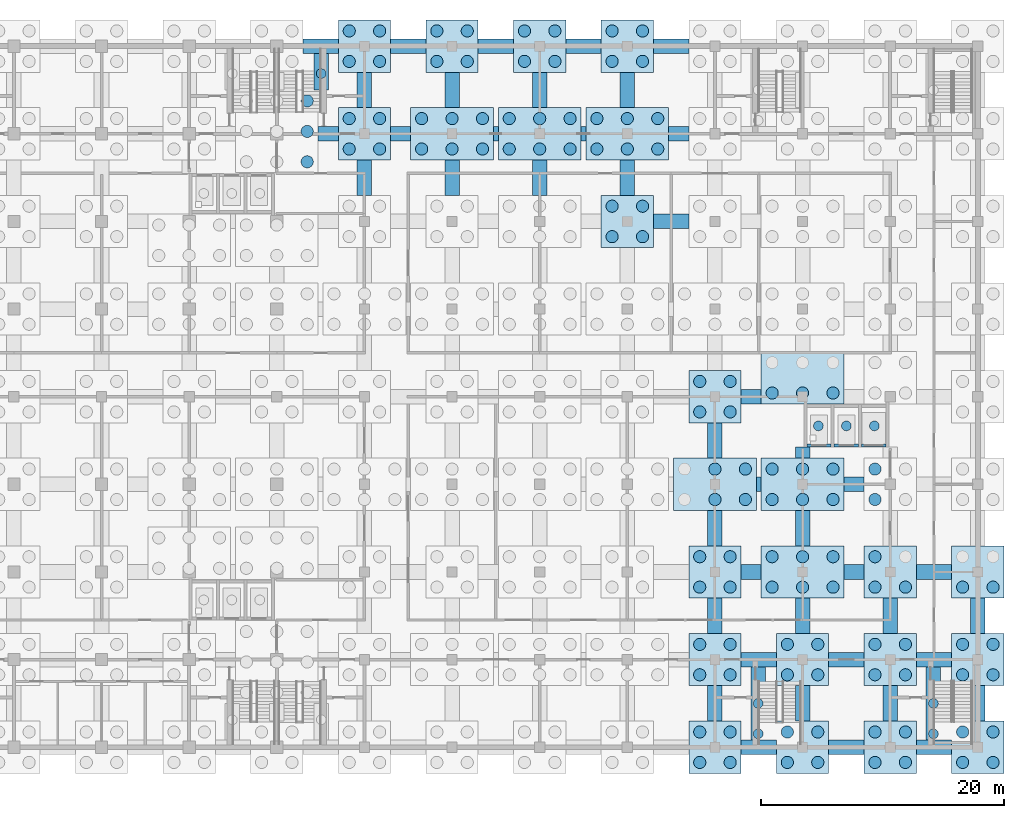
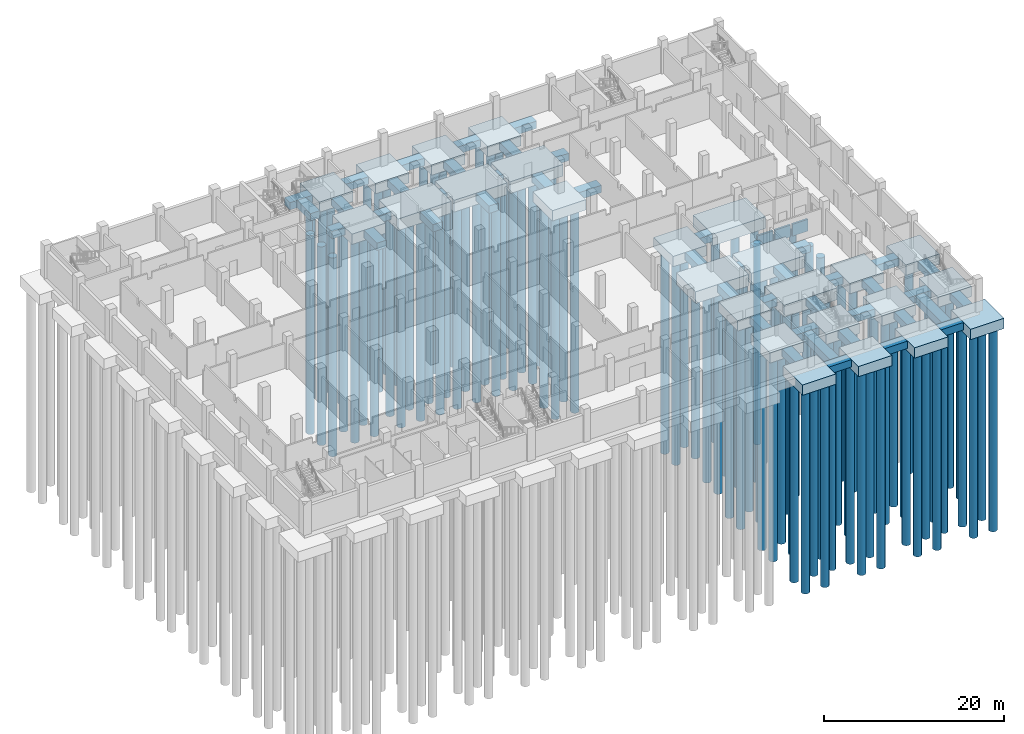
# One storey, part 4 of 19: 119 piles, 74 footings.
"""IFC4 building model written with IfcOpenShell, lengths in metres."""

from ifc_helpers import new_model, si_unit, direction, frame, origin, origin_2d, place, context, subcontext, project, spatial, rectangle, circle, extrude, material, material_profile, profile_set, type_object, element, save


model = new_model("IFC4")

# Units and contexts
model_context = context("Model", 3, precision=1e-05, world=origin(), true_north=direction((0.0, 1.0)))
body_context = subcontext(model_context, "Body", "Model", "MODEL_VIEW")
ifc_project = project(units=[si_unit("LENGTHUNIT", "METRE"), si_unit("AREAUNIT", "SQUARE_METRE"), si_unit("VOLUMEUNIT", "CUBIC_METRE"), si_unit("PLANEANGLEUNIT", "RADIAN"), si_unit("MASSUNIT", "GRAM", prefix="KILO")], contexts=[model_context])

# Site, building, storey
site_placement = place(None, origin())
site = spatial("IfcSite", under=ifc_project, at=site_placement, CompositionType="ELEMENT")
building_placement = place(site_placement, origin())
building = spatial("IfcBuilding", under=site, at=building_placement, Name="Silangan Lancet Faculty of Sciences", CompositionType="ELEMENT")
storey_placement = place(building_placement, frame((0.0, 0.0, -4.5)))
storey = spatial("IfcBuildingStorey", under=building, at=storey_placement, Name="B1", CompositionType="ELEMENT", Elevation=-4.5)

# Footings
ifc_material_1 = material(Name="Concrete C40/50", Category="concrete")
footing_type_1 = type_object("IfcFootingType", Name="LIFT PIT WALL RC 250", PredefinedType="STRIP_FOOTING", material=ifc_material_1)
for number, where, z_axis, x_axis, name in (
    (1, (73.35009765625, 24.77490234375, -1.60009765625), (0.0, 0.0, 1.0), (1.0, 0.0, 0.0), "PITWALL-EB-L1"),
    (2, (75.60009765625, 24.77490234375, -1.60009765625), (0.0, 0.0, 1.0), (1.0, 0.0, 0.0), "PITWALL-EB-L2"),
    (3, (77.85009765625, 24.77490234375, -1.60009765625), (0.0, 0.0, 1.0), (1.0, 0.0, 0.0), "PITWALL-EB-L3"),
):
    element("IfcFooting", number, at=place(storey_placement, frame(where, z_axis=z_axis, x_axis=x_axis)), inside=storey, type_object=footing_type_1, Name=name, PredefinedType="STRIP_FOOTING", context=body_context, shape_type="SweptSolid", body=[
        extrude(rectangle(XDim=2.0, YDim=0.25, at=origin_2d()), origin(), (0.0, 0.0, 1.0), 1.60009765625),
    ])

# Piles
ifc_material_2 = material(Name="Concrete C30/37", Category="concrete")
ifc_material_profile_1 = material_profile(ifc_material_2, circle(Radius=0.5, at=origin_2d()), Name="BORED PILE D1000")
ifc_profile_set_1 = profile_set([ifc_material_profile_1], Name="Concrete C30/37")
pile_type_1 = type_object("IfcPileType", Name="PILE BORED D1000", PredefinedType="BORED", material=ifc_profile_set_1)
for number, where, z_axis, x_axis, name in (
    (4, (31.300048828125, 48.10009765625, -2.5), (0.0, 0.0, -1.0), (1.0, 0.0, 0.0), "PILE-5H-3"),
    (5, (31.300048828125, 50.60009765625, -2.5), (0.0, 0.0, -1.0), (1.0, 0.0, 0.0), "PILE-5H-6"),
    (6, (31.300048828125, 53.10009765625, -2.5), (0.0, 0.0, -1.0), (1.0, 0.0, 0.0), "PILE-5H-9"),
):
    element("IfcPile", number, at=place(storey_placement, frame(where, z_axis=z_axis, x_axis=x_axis)), inside=storey, type_object=pile_type_1, Name=name, PredefinedType="BORED", context=body_context, shape_type="SweptSolid", body=[
        extrude(circle(Radius=0.5, at=origin_2d()), origin(), (0.0, 0.0, 1.0), 27.0),
    ])
for number, where, z_axis, x_axis, name in (
    (7, (34.75, 49.14990234375, -2.0), (0.0, 0.0, -1.0), (1.0, 0.0, 0.0), "PILE-6H-1"),
    (8, (37.25, 49.14990234375, -2.0), (0.0, 0.0, -1.0), (1.0, 0.0, 0.0), "PILE-6H-2"),
    (9, (34.75, 51.64990234375, -2.0), (0.0, 0.0, -1.0), (1.0, 0.0, 0.0), "PILE-6H-3"),
    (10, (37.25, 51.64990234375, -2.0), (0.0, 0.0, -1.0), (1.0, 0.0, 0.0), "PILE-6H-4"),
    (11, (34.75, 56.35009765625, -2.0), (0.0, 0.0, -1.0), (1.0, 0.0, 0.0), "PILE-6I-1"),
    (12, (37.25, 56.35009765625, -2.0), (0.0, 0.0, -1.0), (1.0, 0.0, 0.0), "PILE-6I-2"),
    (13, (34.75, 58.85009765625, -2.0), (0.0, 0.0, -1.0), (1.0, 0.0, 0.0), "PILE-6I-3"),
    (14, (37.25, 58.85009765625, -2.0), (0.0, 0.0, -1.0), (1.0, 0.0, 0.0), "PILE-6I-4"),
):
    element("IfcPile", number, at=place(storey_placement, frame(where, z_axis=z_axis, x_axis=x_axis)), inside=storey, type_object=pile_type_1, Name=name, PredefinedType="BORED", context=body_context, shape_type="SweptSolid", body=[
        extrude(circle(Radius=0.5, at=origin_2d()), origin(), (0.0, 0.0, 1.0), 27.5),
    ])
for number, where, z_axis, x_axis, name in (
    (15, (40.699951171875, 49.14990234375, -2.199951171875), (0.0, 0.0, -1.0), (1.0, 0.0, 0.0), "PILE-7H-1"),
    (16, (43.199951171875, 49.14990234375, -2.199951171875), (0.0, 0.0, -1.0), (1.0, 0.0, 0.0), "PILE-7H-2"),
    (17, (45.699951171875, 49.14990234375, -2.199951171875), (0.0, 0.0, -1.0), (1.0, 0.0, 0.0), "PILE-7H-3"),
    (18, (40.699951171875, 51.64990234375, -2.199951171875), (0.0, 0.0, -1.0), (1.0, 0.0, 0.0), "PILE-7H-4"),
    (19, (43.199951171875, 51.64990234375, -2.199951171875), (0.0, 0.0, -1.0), (1.0, 0.0, 0.0), "PILE-7H-5"),
    (20, (45.699951171875, 51.64990234375, -2.199951171875), (0.0, 0.0, -1.0), (1.0, 0.0, 0.0), "PILE-7H-6"),
):
    element("IfcPile", number, at=place(storey_placement, frame(where, z_axis=z_axis, x_axis=x_axis)), inside=storey, type_object=pile_type_1, Name=name, PredefinedType="BORED", context=body_context, shape_type="SweptSolid", body=[
        extrude(circle(Radius=0.5, at=origin_2d()), origin(), (0.0, 0.0, 1.0), 27.300048828125),
    ])
for number, where, z_axis, x_axis, name in (
    (21, (41.949951171875, 56.35009765625, -2.0), (0.0, 0.0, -1.0), (1.0, 0.0, 0.0), "PILE-7I-1"),
    (22, (44.449951171875, 56.35009765625, -2.0), (0.0, 0.0, -1.0), (1.0, 0.0, 0.0), "PILE-7I-2"),
    (23, (41.949951171875, 58.85009765625, -2.0), (0.0, 0.0, -1.0), (1.0, 0.0, 0.0), "PILE-7I-3"),
    (24, (44.449951171875, 58.85009765625, -2.0), (0.0, 0.0, -1.0), (1.0, 0.0, 0.0), "PILE-7I-4"),
):
    element("IfcPile", number, at=place(storey_placement, frame(where, z_axis=z_axis, x_axis=x_axis)), inside=storey, type_object=pile_type_1, Name=name, PredefinedType="BORED", context=body_context, shape_type="SweptSolid", body=[
        extrude(circle(Radius=0.5, at=origin_2d()), origin(), (0.0, 0.0, 1.0), 27.5),
    ])
for number, where, z_axis, x_axis, name in (
    (25, (47.89990234375, 49.14990234375, -2.199951171875), (0.0, 0.0, -1.0), (1.0, 0.0, 0.0), "PILE-8H-1"),
    (26, (50.39990234375, 49.14990234375, -2.199951171875), (0.0, 0.0, -1.0), (1.0, 0.0, 0.0), "PILE-8H-2"),
    (27, (52.89990234375, 49.14990234375, -2.199951171875), (0.0, 0.0, -1.0), (1.0, 0.0, 0.0), "PILE-8H-3"),
    (28, (47.89990234375, 51.64990234375, -2.199951171875), (0.0, 0.0, -1.0), (1.0, 0.0, 0.0), "PILE-8H-4"),
    (29, (50.39990234375, 51.64990234375, -2.199951171875), (0.0, 0.0, -1.0), (1.0, 0.0, 0.0), "PILE-8H-5"),
    (30, (52.89990234375, 51.64990234375, -2.199951171875), (0.0, 0.0, -1.0), (1.0, 0.0, 0.0), "PILE-8H-6"),
):
    element("IfcPile", number, at=place(storey_placement, frame(where, z_axis=z_axis, x_axis=x_axis)), inside=storey, type_object=pile_type_1, Name=name, PredefinedType="BORED", context=body_context, shape_type="SweptSolid", body=[
        extrude(circle(Radius=0.5, at=origin_2d()), origin(), (0.0, 0.0, 1.0), 27.300048828125),
    ])
for number, where, z_axis, x_axis, name in (
    (31, (49.14990234375, 56.35009765625, -2.0), (0.0, 0.0, -1.0), (1.0, 0.0, 0.0), "PILE-8I-1"),
    (32, (51.64990234375, 56.35009765625, -2.0), (0.0, 0.0, -1.0), (1.0, 0.0, 0.0), "PILE-8I-2"),
    (33, (49.14990234375, 58.85009765625, -2.0), (0.0, 0.0, -1.0), (1.0, 0.0, 0.0), "PILE-8I-3"),
    (34, (51.64990234375, 58.85009765625, -2.0), (0.0, 0.0, -1.0), (1.0, 0.0, 0.0), "PILE-8I-4"),
    (35, (56.35009765625, 41.949951171875, -2.0), (0.0, 0.0, -1.0), (1.0, 0.0, 0.0), "PILE-9G-1"),
    (36, (58.85009765625, 41.949951171875, -2.0), (0.0, 0.0, -1.0), (1.0, 0.0, 0.0), "PILE-9G-2"),
    (37, (56.35009765625, 44.449951171875, -2.0), (0.0, 0.0, -1.0), (1.0, 0.0, 0.0), "PILE-9G-3"),
    (38, (58.85009765625, 44.449951171875, -2.0), (0.0, 0.0, -1.0), (1.0, 0.0, 0.0), "PILE-9G-4"),
):
    element("IfcPile", number, at=place(storey_placement, frame(where, z_axis=z_axis, x_axis=x_axis)), inside=storey, type_object=pile_type_1, Name=name, PredefinedType="BORED", context=body_context, shape_type="SweptSolid", body=[
        extrude(circle(Radius=0.5, at=origin_2d()), origin(), (0.0, 0.0, 1.0), 27.5),
    ])
for number, where, z_axis, x_axis, name in (
    (39, (55.10009765625, 49.14990234375, -2.199951171875), (0.0, 0.0, -1.0), (1.0, 0.0, 0.0), "PILE-9H-1"),
    (40, (57.60009765625, 49.14990234375, -2.199951171875), (0.0, 0.0, -1.0), (1.0, 0.0, 0.0), "PILE-9H-2"),
    (41, (60.10009765625, 49.14990234375, -2.199951171875), (0.0, 0.0, -1.0), (1.0, 0.0, 0.0), "PILE-9H-3"),
    (42, (55.10009765625, 51.64990234375, -2.199951171875), (0.0, 0.0, -1.0), (1.0, 0.0, 0.0), "PILE-9H-4"),
    (43, (57.60009765625, 51.64990234375, -2.199951171875), (0.0, 0.0, -1.0), (1.0, 0.0, 0.0), "PILE-9H-5"),
    (44, (60.10009765625, 51.64990234375, -2.199951171875), (0.0, 0.0, -1.0), (1.0, 0.0, 0.0), "PILE-9H-6"),
):
    element("IfcPile", number, at=place(storey_placement, frame(where, z_axis=z_axis, x_axis=x_axis)), inside=storey, type_object=pile_type_1, Name=name, PredefinedType="BORED", context=body_context, shape_type="SweptSolid", body=[
        extrude(circle(Radius=0.5, at=origin_2d()), origin(), (0.0, 0.0, 1.0), 27.300048828125),
    ])
for number, where, z_axis, x_axis, name in (
    (45, (56.35009765625, 56.35009765625, -2.0), (0.0, 0.0, -1.0), (1.0, 0.0, 0.0), "PILE-9I-1"),
    (46, (58.85009765625, 56.35009765625, -2.0), (0.0, 0.0, -1.0), (1.0, 0.0, 0.0), "PILE-9I-2"),
    (47, (56.35009765625, 58.85009765625, -2.0), (0.0, 0.0, -1.0), (1.0, 0.0, 0.0), "PILE-9I-3"),
    (48, (58.85009765625, 58.85009765625, -2.0), (0.0, 0.0, -1.0), (1.0, 0.0, 0.0), "PILE-9I-4"),
    (49, (63.550048828125, -1.25, -2.0), (0.0, 0.0, -1.0), (1.0, 0.0, 0.0), "PILE-10A-1"),
    (50, (66.050048828125, -1.25, -2.0), (0.0, 0.0, -1.0), (1.0, 0.0, 0.0), "PILE-10A-2"),
    (51, (63.550048828125, 1.25, -2.0), (0.0, 0.0, -1.0), (1.0, 0.0, 0.0), "PILE-10A-3"),
    (52, (66.050048828125, 1.25, -2.0), (0.0, 0.0, -1.0), (1.0, 0.0, 0.0), "PILE-10A-4"),
    (53, (63.550048828125, 5.949951171875, -2.0), (0.0, 0.0, -1.0), (1.0, 0.0, 0.0), "PILE-10B-1"),
    (54, (66.050048828125, 5.949951171875, -2.0), (0.0, 0.0, -1.0), (1.0, 0.0, 0.0), "PILE-10B-2"),
    (55, (63.550048828125, 8.449951171875, -2.0), (0.0, 0.0, -1.0), (1.0, 0.0, 0.0), "PILE-10B-3"),
    (56, (66.050048828125, 8.449951171875, -2.0), (0.0, 0.0, -1.0), (1.0, 0.0, 0.0), "PILE-10B-4"),
    (57, (63.550048828125, 13.14990234375, -2.0), (0.0, 0.0, -1.0), (1.0, 0.0, 0.0), "PILE-10C-1"),
    (58, (66.050048828125, 13.14990234375, -2.0), (0.0, 0.0, -1.0), (1.0, 0.0, 0.0), "PILE-10C-2"),
    (59, (63.550048828125, 15.64990234375, -2.0), (0.0, 0.0, -1.0), (1.0, 0.0, 0.0), "PILE-10C-3"),
    (60, (66.050048828125, 15.64990234375, -2.0), (0.0, 0.0, -1.0), (1.0, 0.0, 0.0), "PILE-10C-4"),
):
    element("IfcPile", number, at=place(storey_placement, frame(where, z_axis=z_axis, x_axis=x_axis)), inside=storey, type_object=pile_type_1, Name=name, PredefinedType="BORED", context=body_context, shape_type="SweptSolid", body=[
        extrude(circle(Radius=0.5, at=origin_2d()), origin(), (0.0, 0.0, 1.0), 27.5),
    ])
for number, where, z_axis, x_axis, name in (
    (61, (64.800048828125, 20.35009765625, -2.199951171875), (0.0, 0.0, -1.0), (1.0, 0.0, 0.0), "PILE-10D-2"),
    (62, (67.300048828125, 20.35009765625, -2.199951171875), (0.0, 0.0, -1.0), (1.0, 0.0, 0.0), "PILE-10D-3"),
    (63, (64.800048828125, 22.85009765625, -2.199951171875), (0.0, 0.0, -1.0), (1.0, 0.0, 0.0), "PILE-10D-5"),
    (64, (67.300048828125, 22.85009765625, -2.199951171875), (0.0, 0.0, -1.0), (1.0, 0.0, 0.0), "PILE-10D-6"),
):
    element("IfcPile", number, at=place(storey_placement, frame(where, z_axis=z_axis, x_axis=x_axis)), inside=storey, type_object=pile_type_1, Name=name, PredefinedType="BORED", context=body_context, shape_type="SweptSolid", body=[
        extrude(circle(Radius=0.5, at=origin_2d()), origin(), (0.0, 0.0, 1.0), 27.300048828125),
    ])
for number, where, z_axis, x_axis, name in (
    (65, (63.550048828125, 27.550048828125, -2.0), (0.0, 0.0, -1.0), (1.0, 0.0, 0.0), "PILE-10E-1"),
    (66, (66.050048828125, 27.550048828125, -2.0), (0.0, 0.0, -1.0), (1.0, 0.0, 0.0), "PILE-10E-2"),
    (67, (63.550048828125, 30.050048828125, -2.0), (0.0, 0.0, -1.0), (1.0, 0.0, 0.0), "PILE-10E-3"),
    (68, (66.050048828125, 30.050048828125, -2.0), (0.0, 0.0, -1.0), (1.0, 0.0, 0.0), "PILE-10E-4"),
    (69, (70.75, -1.25, -2.0), (0.0, 0.0, -1.0), (1.0, 0.0, 0.0), "PILE-11A-1"),
    (70, (73.25, -1.25, -2.0), (0.0, 0.0, -1.0), (1.0, 0.0, 0.0), "PILE-11A-2"),
    (71, (70.75, 1.25, -2.0), (0.0, 0.0, -1.0), (1.0, 0.0, 0.0), "PILE-11A-3"),
    (72, (73.25, 1.25, -2.0), (0.0, 0.0, -1.0), (1.0, 0.0, 0.0), "PILE-11A-4"),
    (73, (70.75, 5.949951171875, -2.0), (0.0, 0.0, -1.0), (1.0, 0.0, 0.0), "PILE-11B-1"),
    (74, (73.25, 5.949951171875, -2.0), (0.0, 0.0, -1.0), (1.0, 0.0, 0.0), "PILE-11B-2"),
    (75, (70.75, 8.449951171875, -2.0), (0.0, 0.0, -1.0), (1.0, 0.0, 0.0), "PILE-11B-3"),
    (76, (73.25, 8.449951171875, -2.0), (0.0, 0.0, -1.0), (1.0, 0.0, 0.0), "PILE-11B-4"),
):
    element("IfcPile", number, at=place(storey_placement, frame(where, z_axis=z_axis, x_axis=x_axis)), inside=storey, type_object=pile_type_1, Name=name, PredefinedType="BORED", context=body_context, shape_type="SweptSolid", body=[
        extrude(circle(Radius=0.5, at=origin_2d()), origin(), (0.0, 0.0, 1.0), 27.5),
    ])
for number, where, z_axis, x_axis, name in (
    (77, (69.5, 13.14990234375, -2.199951171875), (0.0, 0.0, -1.0), (1.0, 0.0, 0.0), "PILE-11C-1"),
    (78, (72.0, 13.14990234375, -2.199951171875), (0.0, 0.0, -1.0), (1.0, 0.0, 0.0), "PILE-11C-2"),
    (79, (74.5, 13.14990234375, -2.199951171875), (0.0, 0.0, -1.0), (1.0, 0.0, 0.0), "PILE-11C-3"),
    (80, (69.5, 15.64990234375, -2.199951171875), (0.0, 0.0, -1.0), (1.0, 0.0, 0.0), "PILE-11C-4"),
    (81, (72.0, 15.64990234375, -2.199951171875), (0.0, 0.0, -1.0), (1.0, 0.0, 0.0), "PILE-11C-5"),
    (82, (74.5, 15.64990234375, -2.199951171875), (0.0, 0.0, -1.0), (1.0, 0.0, 0.0), "PILE-11C-6"),
    (83, (69.5, 20.35009765625, -2.199951171875), (0.0, 0.0, -1.0), (1.0, 0.0, 0.0), "PILE-11D-1"),
    (84, (72.0, 20.35009765625, -2.199951171875), (0.0, 0.0, -1.0), (1.0, 0.0, 0.0), "PILE-11D-2"),
    (85, (74.5, 20.35009765625, -2.199951171875), (0.0, 0.0, -1.0), (1.0, 0.0, 0.0), "PILE-11D-3"),
    (86, (69.5, 22.85009765625, -2.199951171875), (0.0, 0.0, -1.0), (1.0, 0.0, 0.0), "PILE-11D-4"),
    (87, (72.0, 22.85009765625, -2.199951171875), (0.0, 0.0, -1.0), (1.0, 0.0, 0.0), "PILE-11D-5"),
    (88, (74.5, 22.85009765625, -2.199951171875), (0.0, 0.0, -1.0), (1.0, 0.0, 0.0), "PILE-11D-6"),
    (89, (69.5, 29.10009765625, -2.199951171875), (0.0, 0.0, -1.0), (1.0, 0.0, 0.0), "PILE-11E-1"),
    (90, (72.0, 29.10009765625, -2.199951171875), (0.0, 0.0, -1.0), (1.0, 0.0, 0.0), "PILE-11E-2"),
    (91, (74.5, 29.10009765625, -2.199951171875), (0.0, 0.0, -1.0), (1.0, 0.0, 0.0), "PILE-11E-3"),
):
    element("IfcPile", number, at=place(storey_placement, frame(where, z_axis=z_axis, x_axis=x_axis)), inside=storey, type_object=pile_type_1, Name=name, PredefinedType="BORED", context=body_context, shape_type="SweptSolid", body=[
        extrude(circle(Radius=0.5, at=origin_2d()), origin(), (0.0, 0.0, 1.0), 27.300048828125),
    ])
for number, where, z_axis, x_axis, name in (
    (92, (77.949951171875, -1.25, -2.0), (0.0, 0.0, -1.0), (1.0, 0.0, 0.0), "PILE-12A-1"),
    (93, (80.449951171875, -1.25, -2.0), (0.0, 0.0, -1.0), (1.0, 0.0, 0.0), "PILE-12A-2"),
    (94, (77.949951171875, 1.25, -2.0), (0.0, 0.0, -1.0), (1.0, 0.0, 0.0), "PILE-12A-3"),
    (95, (80.449951171875, 1.25, -2.0), (0.0, 0.0, -1.0), (1.0, 0.0, 0.0), "PILE-12A-4"),
    (96, (77.949951171875, 5.949951171875, -2.0), (0.0, 0.0, -1.0), (1.0, 0.0, 0.0), "PILE-12B-1"),
    (97, (80.449951171875, 5.949951171875, -2.0), (0.0, 0.0, -1.0), (1.0, 0.0, 0.0), "PILE-12B-2"),
    (98, (77.949951171875, 8.449951171875, -2.0), (0.0, 0.0, -1.0), (1.0, 0.0, 0.0), "PILE-12B-3"),
    (99, (80.449951171875, 8.449951171875, -2.0), (0.0, 0.0, -1.0), (1.0, 0.0, 0.0), "PILE-12B-4"),
    (100, (77.949951171875, 13.14990234375, -2.0), (0.0, 0.0, -1.0), (1.0, 0.0, 0.0), "PILE-12C-1"),
    (101, (80.449951171875, 13.14990234375, -2.0), (0.0, 0.0, -1.0), (1.0, 0.0, 0.0), "PILE-12C-2"),
    (102, (77.949951171875, 15.64990234375, -2.0), (0.0, 0.0, -1.0), (1.0, 0.0, 0.0), "PILE-12C-3"),
    (103, (77.949951171875, 20.35009765625, -2.0), (0.0, 0.0, -1.0), (1.0, 0.0, 0.0), "PILE-12D-1"),
    (104, (77.949951171875, 22.85009765625, -2.0), (0.0, 0.0, -1.0), (1.0, 0.0, 0.0), "PILE-12D-3"),
    (105, (85.14990234375, -1.25, -2.0), (0.0, 0.0, -1.0), (1.0, 0.0, 0.0), "PILE-13A-1"),
    (106, (87.64990234375, -1.25, -2.0), (0.0, 0.0, -1.0), (1.0, 0.0, 0.0), "PILE-13A-2"),
    (107, (85.14990234375, 1.25, -2.0), (0.0, 0.0, -1.0), (1.0, 0.0, 0.0), "PILE-13A-3"),
    (108, (87.64990234375, 1.25, -2.0), (0.0, 0.0, -1.0), (1.0, 0.0, 0.0), "PILE-13A-4"),
    (109, (85.14990234375, 5.949951171875, -2.0), (0.0, 0.0, -1.0), (1.0, 0.0, 0.0), "PILE-13B-1"),
    (110, (87.64990234375, 5.949951171875, -2.0), (0.0, 0.0, -1.0), (1.0, 0.0, 0.0), "PILE-13B-2"),
    (111, (85.14990234375, 8.449951171875, -2.0), (0.0, 0.0, -1.0), (1.0, 0.0, 0.0), "PILE-13B-3"),
    (112, (87.64990234375, 8.449951171875, -2.0), (0.0, 0.0, -1.0), (1.0, 0.0, 0.0), "PILE-13B-4"),
    (113, (85.14990234375, 13.14990234375, -2.0), (0.0, 0.0, -1.0), (1.0, 0.0, 0.0), "PILE-13C-1"),
    (114, (87.64990234375, 13.14990234375, -2.0), (0.0, 0.0, -1.0), (1.0, 0.0, 0.0), "PILE-13C-2"),
):
    element("IfcPile", number, at=place(storey_placement, frame(where, z_axis=z_axis, x_axis=x_axis)), inside=storey, type_object=pile_type_1, Name=name, PredefinedType="BORED", context=body_context, shape_type="SweptSolid", body=[
        extrude(circle(Radius=0.5, at=origin_2d()), origin(), (0.0, 0.0, 1.0), 27.5),
    ])
ifc_material_3 = material(Name="Concrete C30/37", Category="concrete")
ifc_material_profile_2 = material_profile(ifc_material_3, circle(Radius=0.39990234375, at=origin_2d()), Name="BORED PILE D800")
ifc_profile_set_2 = profile_set([ifc_material_profile_2], Name="Concrete C30/37")
pile_type_2 = type_object("IfcPileType", Name="PILE BORED D800", PredefinedType="BORED", material=ifc_profile_set_2)
for number, where, z_axis, x_axis, name in (
    (115, (68.35009765625, 3.60009765625, -1.60009765625), (0.0, 0.0, -1.0), (1.0, 0.0, 0.0), "PILE-FB-WSAB-B-1"),
    (116, (68.35009765625, 1.10009765625, -1.60009765625), (0.0, 0.0, -1.0), (1.0, 0.0, 0.0), "PILE-FB-WSAB-B-2"),
    (117, (32.449951171875, 55.35009765625, -1.60009765625), (0.0, 0.0, -1.0), (1.0, 0.0, 0.0), "PILE-FB-WNAB-A-1"),
    (118, (82.75, 3.60009765625, -1.60009765625), (0.0, 0.0, -1.0), (1.0, 0.0, 0.0), "PILE-FB-WEB-A-1"),
    (119, (82.75, 1.10009765625, -1.60009765625), (0.0, 0.0, -1.0), (1.0, 0.0, 0.0), "PILE-FB-WEB-A-2"),
):
    element("IfcPile", number, at=place(storey_placement, frame(where, z_axis=z_axis, x_axis=x_axis)), inside=storey, type_object=pile_type_2, Name=name, PredefinedType="BORED", context=body_context, shape_type="SweptSolid", body=[
        extrude(circle(Radius=0.39990234375, at=origin_2d()), origin(), (0.0, 0.0, 1.0), 27.89990234375),
    ])
for number, where, z_axis, x_axis, name in (
    (120, (73.300048828125, 26.39990234375, -2.199951171875), (0.0, 0.0, -1.0), (1.0, 0.0, 0.0), "PILE-PIT-EB-1"),
    (121, (75.60009765625, 26.39990234375, -2.199951171875), (0.0, 0.0, -1.0), (1.0, 0.0, 0.0), "PILE-PIT-EB-2"),
    (122, (77.89990234375, 26.39990234375, -2.199951171875), (0.0, 0.0, -1.0), (1.0, 0.0, 0.0), "PILE-PIT-EB-3"),
):
    element("IfcPile", number, at=place(storey_placement, frame(where, z_axis=z_axis, x_axis=x_axis)), inside=storey, type_object=pile_type_2, Name=name, PredefinedType="BORED", context=body_context, shape_type="SweptSolid", body=[
        extrude(circle(Radius=0.39990234375, at=origin_2d()), origin(), (0.0, 0.0, 1.0), 27.300048828125),
    ])

# Footings
ifc_material_4 = material(Name="Concrete C30/37", Category="concrete")
footing_type_2 = type_object("IfcFootingType", Name="PILE CAP 4 PILES 4300x4300x1400", PredefinedType="PILE_CAP", material=ifc_material_4)
for number, where, z_axis, x_axis, name in (
    (123, (36.0, 50.39990234375, -2.0), (0.0, 0.0, 1.0), (1.0, 0.0, 0.0), "CAP-6H"),
    (124, (36.0, 57.60009765625, -2.0), (0.0, 0.0, 1.0), (1.0, 0.0, 0.0), "CAP-6I"),
    (125, (43.199951171875, 57.60009765625, -2.0), (0.0, 0.0, 1.0), (1.0, 0.0, 0.0), "CAP-7I"),
    (126, (50.39990234375, 57.60009765625, -2.0), (0.0, 0.0, 1.0), (1.0, 0.0, 0.0), "CAP-8I"),
    (127, (57.60009765625, 43.199951171875, -2.0), (0.0, 0.0, 1.0), (1.0, 0.0, 0.0), "CAP-9G"),
    (128, (57.60009765625, 57.60009765625, -2.0), (0.0, 0.0, 1.0), (1.0, 0.0, 0.0), "CAP-9I"),
    (129, (64.800048828125, 0.0, -2.0), (0.0, 0.0, 1.0), (1.0, 0.0, 0.0), "CAP-10A"),
    (130, (64.800048828125, 7.199951171875, -2.0), (0.0, 0.0, 1.0), (1.0, 0.0, 0.0), "CAP-10B"),
    (131, (64.800048828125, 14.39990234375, -2.0), (0.0, 0.0, 1.0), (1.0, 0.0, 0.0), "CAP-10C"),
    (132, (64.800048828125, 28.800048828125, -2.0), (0.0, 0.0, 1.0), (1.0, 0.0, 0.0), "CAP-10E"),
    (133, (72.0, 0.0, -2.0), (0.0, 0.0, 1.0), (1.0, 0.0, 0.0), "CAP-11A"),
    (134, (72.0, 7.199951171875, -2.0), (0.0, 0.0, 1.0), (1.0, 0.0, 0.0), "CAP-11B"),
    (135, (79.199951171875, 0.0, -2.0), (0.0, 0.0, 1.0), (1.0, 0.0, 0.0), "CAP-12A"),
    (136, (79.199951171875, 7.199951171875, -2.0), (0.0, 0.0, 1.0), (1.0, 0.0, 0.0), "CAP-12B"),
    (137, (79.199951171875, 14.39990234375, -2.0), (0.0, 0.0, 1.0), (1.0, 0.0, 0.0), "CAP-12C"),
    (138, (86.39990234375, 0.0, -2.0), (0.0, 0.0, 1.0), (1.0, 0.0, 0.0), "CAP-13A"),
    (139, (86.39990234375, 7.199951171875, -2.0), (0.0, 0.0, 1.0), (1.0, 0.0, 0.0), "CAP-13B"),
    (140, (86.39990234375, 14.39990234375, -2.0), (0.0, 0.0, 1.0), (1.0, 0.0, 0.0), "CAP-13C"),
):
    element("IfcFooting", number, at=place(storey_placement, frame(where, z_axis=z_axis, x_axis=x_axis)), inside=storey, type_object=footing_type_2, Name=name, PredefinedType="PILE_CAP", context=body_context, shape_type="SweptSolid", body=[
        extrude(rectangle(XDim=4.300048828125, YDim=4.300048828125, at=origin_2d()), origin(), (0.0, 0.0, 1.0), 1.39990234375),
    ])
ifc_material_5 = material(Name="Concrete C30/37", Category="concrete")
footing_type_3 = type_object("IfcFootingType", Name="PILE CAP 6 PILES 6800x4300x1600", PredefinedType="PILE_CAP", material=ifc_material_5)
for number, where, z_axis, x_axis, name in (
    (141, (43.199951171875, 50.39990234375, -2.199951171875), (0.0, 0.0, 1.0), (1.0, 0.0, 0.0), "CAP-7H"),
    (142, (50.39990234375, 50.39990234375, -2.199951171875), (0.0, 0.0, 1.0), (1.0, 0.0, 0.0), "CAP-8H"),
    (143, (57.60009765625, 50.39990234375, -2.199951171875), (0.0, 0.0, 1.0), (1.0, 0.0, 0.0), "CAP-9H"),
    (144, (64.800048828125, 21.60009765625, -2.199951171875), (0.0, 0.0, 1.0), (1.0, 0.0, 0.0), "CAP-10D"),
    (145, (72.0, 14.39990234375, -2.199951171875), (0.0, 0.0, 1.0), (1.0, 0.0, 0.0), "CAP-11C"),
    (146, (72.0, 21.60009765625, -2.199951171875), (0.0, 0.0, 1.0), (1.0, 0.0, 0.0), "CAP-11D"),
    (147, (72.0, 30.35009765625, -2.199951171875), (0.0, 0.0, 1.0), (1.0, 0.0, 0.0), "CAP-11E"),
):
    element("IfcFooting", number, at=place(storey_placement, frame(where, z_axis=z_axis, x_axis=x_axis)), inside=storey, type_object=footing_type_3, Name=name, PredefinedType="PILE_CAP", context=body_context, shape_type="SweptSolid", body=[
        extrude(rectangle(XDim=6.800048828125, YDim=4.300048828125, at=origin_2d()), origin(), (0.0, 0.0, 1.0), 1.60009765625),
    ])
ifc_material_6 = material(Name="Concrete C30/37", Category="concrete")
footing_type_4 = type_object("IfcFootingType", Name="PILE CAP BEAM 1200x1000", PredefinedType="FOOTING_BEAM", material=ifc_material_6)
for number, where, z_axis, x_axis, name in (
    (148, (68.39990234375, 0.0, -1.60009765625), (0.0, 0.0, 1.0), (1.0, 0.0, 0.0), "FB-10A-11A"),
    (149, (75.60009765625, 0.0, -1.60009765625), (0.0, 0.0, 1.0), (1.0, 0.0, 0.0), "FB-11A-12A"),
    (150, (82.800048828125, 0.0, -1.60009765625), (0.0, 0.0, 1.0), (1.0, 0.0, 0.0), "FB-12A-13A"),
    (151, (32.39990234375, 57.60009765625, -1.60009765625), (0.0, 0.0, 1.0), (1.0, 0.0, 0.0), "FB-5I-6I"),
    (152, (39.60009765625, 57.60009765625, -1.60009765625), (0.0, 0.0, 1.0), (1.0, 0.0, 0.0), "FB-6I-7I"),
    (153, (46.800048828125, 57.60009765625, -1.60009765625), (0.0, 0.0, 1.0), (1.0, 0.0, 0.0), "FB-7I-8I"),
    (154, (54.0, 57.60009765625, -1.60009765625), (0.0, 0.0, 1.0), (1.0, 0.0, 0.0), "FB-8I-9I"),
    (155, (61.199951171875, 57.60009765625, -1.60009765625), (0.0, 0.0, 1.0), (1.0, 0.0, 0.0), "FB-9I-10I"),
    (156, (86.39990234375, 3.60009765625, -1.60009765625), (0.0, 0.0, 1.0), (0.0, 1.0, 0.0), "FB-13A-13B"),
    (157, (86.39990234375, 10.800048828125, -1.60009765625), (0.0, 0.0, 1.0), (0.0, 1.0, 0.0), "FB-13B-13C"),
    (158, (36.0, 46.800048828125, -1.60009765625), (0.0, 0.0, 1.0), (0.0, 1.0, 0.0), "FB-6G-6H"),
    (159, (36.0, 54.0, -1.60009765625), (0.0, 0.0, 1.0), (0.0, 1.0, 0.0), "FB-6H-6I"),
    (160, (43.199951171875, 46.800048828125, -1.60009765625), (0.0, 0.0, 1.0), (0.0, 1.0, 0.0), "FB-7G-7H"),
    (161, (43.199951171875, 54.0, -1.60009765625), (0.0, 0.0, 1.0), (0.0, 1.0, 0.0), "FB-7H-7I"),
    (162, (50.39990234375, 46.800048828125, -1.60009765625), (0.0, 0.0, 1.0), (0.0, 1.0, 0.0), "FB-8G-8H"),
    (163, (50.39990234375, 54.0, -1.60009765625), (0.0, 0.0, 1.0), (0.0, 1.0, 0.0), "FB-8H-8I"),
    (164, (57.60009765625, 46.800048828125, -1.60009765625), (0.0, 0.0, 1.0), (0.0, 1.0, 0.0), "FB-9G-9H"),
    (165, (57.60009765625, 54.0, -1.60009765625), (0.0, 0.0, 1.0), (0.0, 1.0, 0.0), "FB-9H-9I"),
    (166, (64.800048828125, 3.60009765625, -1.60009765625), (0.0, 0.0, 1.0), (0.0, 1.0, 0.0), "FB-10A-10B"),
    (167, (64.800048828125, 10.800048828125, -1.60009765625), (0.0, 0.0, 1.0), (0.0, 1.0, 0.0), "FB-10B-10C"),
    (168, (64.800048828125, 18.0, -1.60009765625), (0.0, 0.0, 1.0), (0.0, 1.0, 0.0), "FB-10C-10D"),
    (169, (64.800048828125, 25.199951171875, -1.60009765625), (0.0, 0.0, 1.0), (0.0, 1.0, 0.0), "FB-10D-10E"),
    (170, (72.0, 3.60009765625, -1.60009765625), (0.0, 0.0, 1.0), (0.0, 1.0, 0.0), "FB-11A-11B"),
    (171, (72.0, 10.800048828125, -1.60009765625), (0.0, 0.0, 1.0), (0.0, 1.0, 0.0), "FB-11B-11C"),
    (172, (72.0, 18.0, -1.60009765625), (0.0, 0.0, 1.0), (0.0, 1.0, 0.0), "FB-11C-11D"),
):
    element("IfcFooting", number, at=place(storey_placement, frame(where, z_axis=z_axis, x_axis=x_axis)), inside=storey, type_object=footing_type_4, Name=name, PredefinedType="FOOTING_BEAM", context=body_context, shape_type="SweptSolid", body=[
        extrude(rectangle(XDim=2.89990234375, YDim=1.199951171875, at=origin_2d()), origin(), (0.0, 0.0, 1.0), 1.0),
    ])
footing_1_placement = place(storey_placement, frame((72.0, 24.199951171875, -1.60009765625), z_axis=(0.0, 0.0, 1.0), x_axis=(0.0, 1.0, 0.0)))
element("IfcFooting", 173, at=footing_1_placement, inside=storey, type_object=footing_type_4, Name="FB-11D-11E", PredefinedType="FOOTING_BEAM", context=body_context, shape_type="SweptSolid", body=[
    extrude(rectangle(XDim=0.89990234375, YDim=1.199951171875, at=origin_2d()), origin(), (0.0, 0.0, 1.0), 1.0),
])
for number, where, z_axis, x_axis, name in (
    (174, (79.199951171875, 3.60009765625, -1.60009765625), (0.0, 0.0, 1.0), (0.0, 1.0, 0.0), "FB-12A-12B"),
    (175, (79.199951171875, 10.800048828125, -1.60009765625), (0.0, 0.0, 1.0), (0.0, 1.0, 0.0), "FB-12B-12C"),
    (176, (68.39990234375, 7.199951171875, -1.60009765625), (0.0, 0.0, 1.0), (1.0, 0.0, 0.0), "FB-10B-11B"),
    (177, (75.60009765625, 7.199951171875, -1.60009765625), (0.0, 0.0, 1.0), (1.0, 0.0, 0.0), "FB-11B-12B"),
    (178, (82.800048828125, 7.199951171875, -1.60009765625), (0.0, 0.0, 1.0), (1.0, 0.0, 0.0), "FB-12B-13B"),
):
    element("IfcFooting", number, at=place(storey_placement, frame(where, z_axis=z_axis, x_axis=x_axis)), inside=storey, type_object=footing_type_4, Name=name, PredefinedType="FOOTING_BEAM", context=body_context, shape_type="SweptSolid", body=[
        extrude(rectangle(XDim=2.89990234375, YDim=1.199951171875, at=origin_2d()), origin(), (0.0, 0.0, 1.0), 1.0),
    ])
for number, where, z_axis, x_axis, name in (
    (179, (67.77490234375, 14.39990234375, -1.60009765625), (0.0, 0.0, 1.0), (1.0, 0.0, 0.0), "FB-10C-11C"),
    (180, (76.22509765625, 14.39990234375, -1.60009765625), (0.0, 0.0, 1.0), (1.0, 0.0, 0.0), "FB-11C-12C"),
):
    element("IfcFooting", number, at=place(storey_placement, frame(where, z_axis=z_axis, x_axis=x_axis)), inside=storey, type_object=footing_type_4, Name=name, PredefinedType="FOOTING_BEAM", context=body_context, shape_type="SweptSolid", body=[
        extrude(rectangle(XDim=1.64990234375, YDim=1.199951171875, at=origin_2d()), origin(), (0.0, 0.0, 1.0), 1.0),
    ])
footing_2_placement = place(storey_placement, frame((82.800048828125, 14.39990234375, -1.60009765625), z_axis=(0.0, 0.0, 1.0), x_axis=(1.0, 0.0, 0.0)))
element("IfcFooting", 181, at=footing_2_placement, inside=storey, type_object=footing_type_4, Name="FB-12C-13C", PredefinedType="FOOTING_BEAM", context=body_context, shape_type="SweptSolid", body=[
    extrude(rectangle(XDim=2.89990234375, YDim=1.199951171875, at=origin_2d()), origin(), (0.0, 0.0, 1.0), 1.0),
])
footing_3_placement = place(storey_placement, frame((68.39990234375, 21.60009765625, -1.60009765625), z_axis=(0.0, 0.0, 1.0), x_axis=(1.0, 0.0, 0.0)))
element("IfcFooting", 182, at=footing_3_placement, inside=storey, type_object=footing_type_4, Name="FB-10D-11D", PredefinedType="FOOTING_BEAM", context=body_context, shape_type="SweptSolid", body=[
    extrude(rectangle(XDim=0.39990234375, YDim=1.199951171875, at=origin_2d()), origin(), (0.0, 0.0, 1.0), 1.0),
])
for number, where, z_axis, x_axis, name in (
    (183, (76.22509765625, 21.60009765625, -1.60009765625), (0.0, 0.0, 1.0), (1.0, 0.0, 0.0), "FB-11D-12D"),
    (184, (67.77490234375, 28.800048828125, -1.60009765625), (0.0, 0.0, 1.0), (1.0, 0.0, 0.0), "FB-10E-11E"),
):
    element("IfcFooting", number, at=place(storey_placement, frame(where, z_axis=z_axis, x_axis=x_axis)), inside=storey, type_object=footing_type_4, Name=name, PredefinedType="FOOTING_BEAM", context=body_context, shape_type="SweptSolid", body=[
        extrude(rectangle(XDim=1.64990234375, YDim=1.199951171875, at=origin_2d()), origin(), (0.0, 0.0, 1.0), 1.0),
    ])
footing_4_placement = place(storey_placement, frame((61.199951171875, 43.199951171875, -1.60009765625), z_axis=(0.0, 0.0, 1.0), x_axis=(1.0, 0.0, 0.0)))
element("IfcFooting", 185, at=footing_4_placement, inside=storey, type_object=footing_type_4, Name="FB-9G-10G", PredefinedType="FOOTING_BEAM", context=body_context, shape_type="SweptSolid", body=[
    extrude(rectangle(XDim=2.89990234375, YDim=1.199951171875, at=origin_2d()), origin(), (0.0, 0.0, 1.0), 1.0),
])
for number, where, z_axis, x_axis, name in (
    (186, (33.02490234375, 50.39990234375, -1.60009765625), (0.0, 0.0, 1.0), (1.0, 0.0, 0.0), "FB-5H-6H"),
    (187, (38.97509765625, 50.39990234375, -1.60009765625), (0.0, 0.0, 1.0), (1.0, 0.0, 0.0), "FB-6H-7H"),
):
    element("IfcFooting", number, at=place(storey_placement, frame(where, z_axis=z_axis, x_axis=x_axis)), inside=storey, type_object=footing_type_4, Name=name, PredefinedType="FOOTING_BEAM", context=body_context, shape_type="SweptSolid", body=[
        extrude(rectangle(XDim=1.64990234375, YDim=1.199951171875, at=origin_2d()), origin(), (0.0, 0.0, 1.0), 1.0),
    ])
for number, where, z_axis, x_axis, name in (
    (188, (46.800048828125, 50.39990234375, -1.60009765625), (0.0, 0.0, 1.0), (1.0, 0.0, 0.0), "FB-7H-8H"),
    (189, (54.0, 50.39990234375, -1.60009765625), (0.0, 0.0, 1.0), (1.0, 0.0, 0.0), "FB-8H-9H"),
):
    element("IfcFooting", number, at=place(storey_placement, frame(where, z_axis=z_axis, x_axis=x_axis)), inside=storey, type_object=footing_type_4, Name=name, PredefinedType="FOOTING_BEAM", context=body_context, shape_type="SweptSolid", body=[
        extrude(rectangle(XDim=0.39990234375, YDim=1.199951171875, at=origin_2d()), origin(), (0.0, 0.0, 1.0), 1.0),
    ])
footing_5_placement = place(storey_placement, frame((61.824951171875, 50.39990234375, -1.60009765625), z_axis=(0.0, 0.0, 1.0), x_axis=(1.0, 0.0, 0.0)))
element("IfcFooting", 190, at=footing_5_placement, inside=storey, type_object=footing_type_4, Name="FB-9H-10H", PredefinedType="FOOTING_BEAM", context=body_context, shape_type="SweptSolid", body=[
    extrude(rectangle(XDim=1.64990234375, YDim=1.199951171875, at=origin_2d()), origin(), (0.0, 0.0, 1.0), 1.0),
])
footing_6_placement = place(storey_placement, frame((68.35009765625, 3.60009765625, -1.60009765625), z_axis=(0.0, 0.0, 1.0), x_axis=(0.0, 1.0, 0.0)))
element("IfcFooting", 191, at=footing_6_placement, inside=storey, type_object=footing_type_4, Name="FB-WSAB-B", PredefinedType="FOOTING_BEAM", context=body_context, shape_type="SweptSolid", body=[
    extrude(rectangle(XDim=6.0, YDim=1.199951171875, at=origin_2d()), origin(), (0.0, 0.0, 1.0), 1.0),
])
footing_7_placement = place(storey_placement, frame((32.449951171875, 55.5, -1.60009765625), z_axis=(0.0, 0.0, 1.0), x_axis=(0.0, 1.0, 0.0)))
element("IfcFooting", 192, at=footing_7_placement, inside=storey, type_object=footing_type_4, Name="FB-WNAB-A", PredefinedType="FOOTING_BEAM", context=body_context, shape_type="SweptSolid", body=[
    extrude(rectangle(XDim=3.0, YDim=1.199951171875, at=origin_2d()), origin(), (0.0, 0.0, 1.0), 1.0),
])
footing_8_placement = place(storey_placement, frame((82.75, 3.60009765625, -1.60009765625), z_axis=(0.0, 0.0, 1.0), x_axis=(0.0, 1.0, 0.0)))
element("IfcFooting", 193, at=footing_8_placement, inside=storey, type_object=footing_type_4, Name="FB-WEB-A", PredefinedType="FOOTING_BEAM", context=body_context, shape_type="SweptSolid", body=[
    extrude(rectangle(XDim=6.0, YDim=1.199951171875, at=origin_2d()), origin(), (0.0, 0.0, 1.0), 1.0),
])

save(model, "model.ifc")
